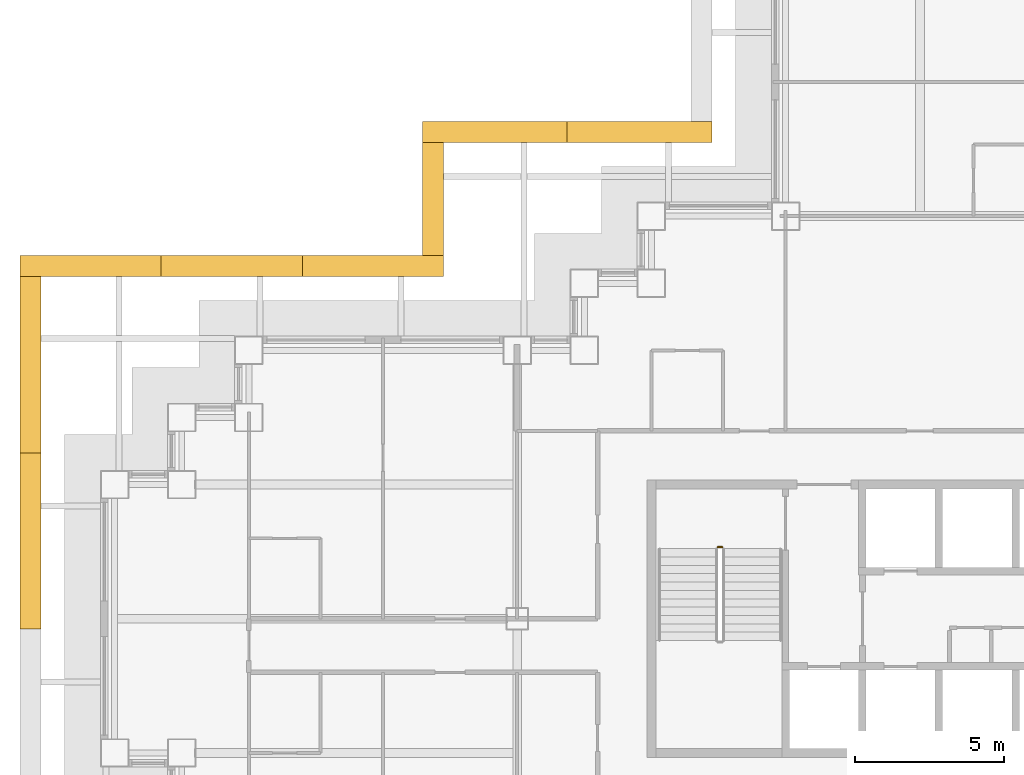
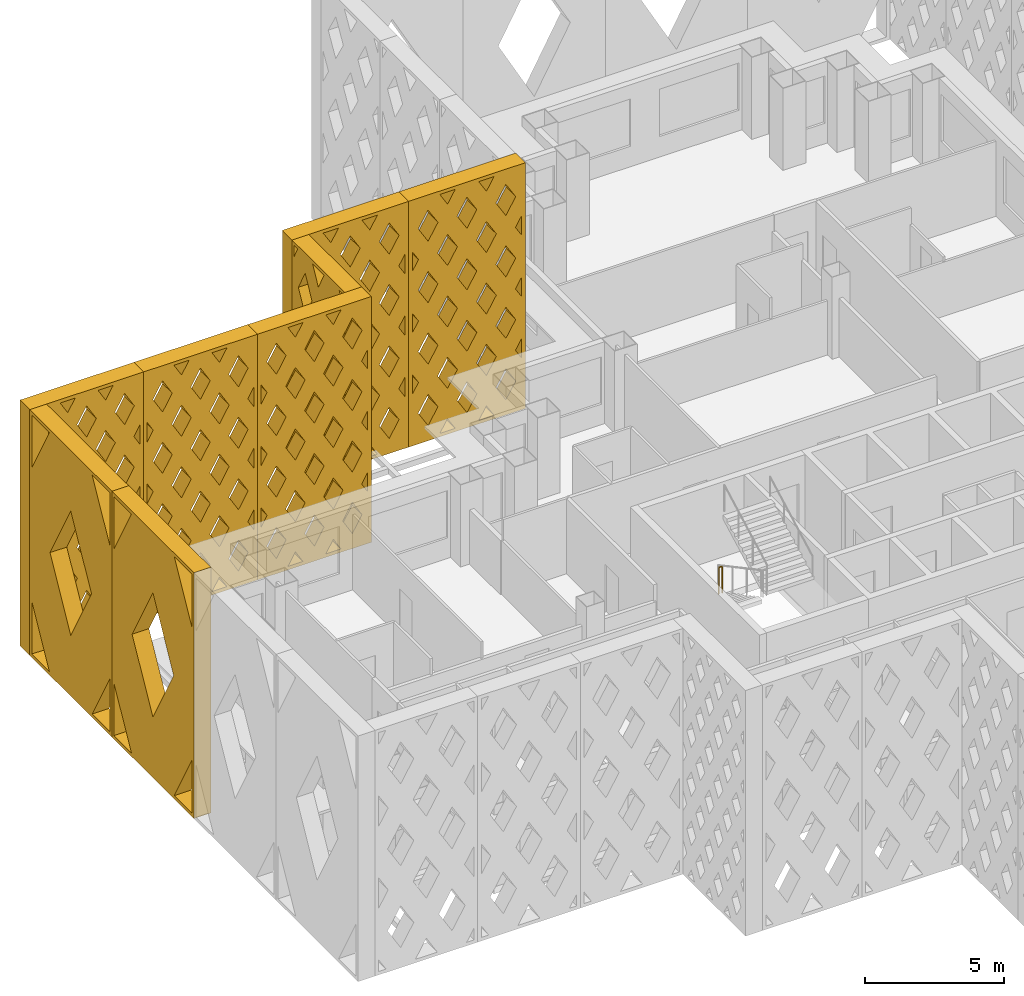
# One storey, part 17 of 19: 8 shading devices, 1 railing.
"""IFC4 building model written with IfcOpenShell, lengths in metres."""

import ifcopenshell
import ifcopenshell.guid

model = None  # the IFC model being written
_history = None  # IfcOwnerHistory: only IFC2X3 demands one
_inside = {}  # id of a spatial element -> (the spatial element, [elements in it])
_under = {}  # id of a project, library or spatial element -> (it, [spatial elements below it])
_declared = {}  # id of a project -> (the project, [libraries it declares])
_typed = {}  # id of a type object -> (the type object, [elements of that type])
_made_of = {}  # id of a material, layer set ... -> (it, [elements and type objects made of it])


def new_model(schema):
    """Start an empty IFC model of exactly this schema.

    Asked for "IFC4X3", IfcOpenShell would pick the latest addendum, in which some entities
    have other attributes; the version numbers below select the first issue.
    IFC2X3 requires an IfcOwnerHistory on every rooted entity: one is made here for all.
    """
    global model, _history
    if schema == "IFC4X3":
        model = ifcopenshell.file(schema_version=(4, 3, 0, 0))
    else:
        model = ifcopenshell.file(schema=schema)
    _inside.clear()
    _under.clear()
    _declared.clear()
    _typed.clear()
    _made_of.clear()
    _history = None
    if model.schema == "IFC2X3":
        org = make("IfcOrganization", Name="unknown")
        user = make(
            "IfcPersonAndOrganization",
            ThePerson=make("IfcPerson", FamilyName="unknown"),
            TheOrganization=org,
        )
        app = make(
            "IfcApplication",
            ApplicationDeveloper=org,
            Version="unknown",
            ApplicationFullName="unknown",
            ApplicationIdentifier="unknown",
        )
        _history = make(
            "IfcOwnerHistory",
            OwningUser=user,
            OwningApplication=app,
            ChangeAction="ADDED",
            CreationDate=0,
        )
    return model


def make(cls, **values):
    """One entity of the class cls with the attributes given. An attribute that is None is left unset."""
    return model.create_entity(
        cls, **{name: value for name, value in values.items() if value is not None}
    )


def rooted(cls, **values):
    """An entity with a GlobalId (a new one), such as an element, a storey or a relation."""
    return make(cls, GlobalId=ifcopenshell.guid.new(), OwnerHistory=_history, **values)


def si_unit(unit_type, name, prefix=None):
    """IfcSIUnit, for example si_unit("LENGTHUNIT", "METRE", prefix="MILLI")."""
    return make("IfcSIUnit", UnitType=unit_type, Prefix=prefix, Name=name)


def assignment(units):
    """IfcUnitAssignment: the units of a project."""
    return None if units is None else make("IfcUnitAssignment", Units=units)


def point(xyz):
    """IfcCartesianPoint."""
    return None if xyz is None else make("IfcCartesianPoint", Coordinates=xyz)


def direction(xyz):
    """IfcDirection."""
    return None if xyz is None else make("IfcDirection", DirectionRatios=xyz)


def frame(location, z_axis=None, x_axis=None):
    """IfcAxis2Placement3D, a coordinate frame: its origin and axes. An axis left out is left unset."""
    return make(
        "IfcAxis2Placement3D",
        Location=point(location),
        Axis=direction(z_axis),
        RefDirection=direction(x_axis),
    )


def frame_2d(location, x_axis=None):
    """IfcAxis2Placement2D, a coordinate frame in the plane: its origin and x axis."""
    return make(
        "IfcAxis2Placement2D", Location=point(location), RefDirection=direction(x_axis)
    )


def origin():
    """The frame at (0, 0, 0) with its axes left unset."""
    return frame((0.0, 0.0, 0.0))


def origin_2d():
    """The frame at (0, 0) in the plane with its x axis left unset."""
    return frame_2d((0.0, 0.0))


def place(relative_to, where):
    """IfcLocalPlacement: puts the frame where relative to a parent placement (None: the world)."""
    return make(
        "IfcLocalPlacement", PlacementRelTo=relative_to, RelativePlacement=where
    )


def context(
    kind, dimensions, precision=None, world=None, true_north=None, identifier=None
):
    """IfcGeometricRepresentationContext, for example the 3D "Model" context."""
    return make(
        "IfcGeometricRepresentationContext",
        ContextIdentifier=identifier,
        ContextType=kind,
        CoordinateSpaceDimension=dimensions,
        Precision=precision,
        WorldCoordinateSystem=world,
        TrueNorth=true_north,
    )


def subcontext(parent, identifier, kind, view, scale=None):
    """IfcGeometricRepresentationSubContext, for example "Body" below "Model"."""
    return make(
        "IfcGeometricRepresentationSubContext",
        ContextIdentifier=identifier,
        ContextType=kind,
        ParentContext=parent,
        TargetScale=scale,
        TargetView=view,
    )


def project(units=None, contexts=None):
    """IfcProject with its units and contexts."""
    return rooted(
        "IfcProject",
        Name="project",
        RepresentationContexts=contexts,
        UnitsInContext=assignment(units),
    )


def spatial(cls, under=None, at=None, **own):
    """A site, building, storey or space (cls), placed at a placement, below another one or the project."""
    s = rooted(cls, ObjectPlacement=at, **own)
    if under is not None:
        _under.setdefault(under.id(), (under, []))[1].append(s)
    return s


def polyline(points):
    """IfcPolyline through the points."""
    return make("IfcPolyline", Points=[point(p) for p in points])


def profile(cls, at=None, kind="AREA", **sizes):
    """A parametric profile (cls). Its sizes go by their IFC names, for example OverallWidth=200.0."""
    return make(cls, ProfileType=kind, Position=at, **sizes)


def circle(**sizes):
    """IfcCircleProfileDef."""
    return profile("IfcCircleProfileDef", **sizes)


def outline(outer, holes=None, kind="AREA"):
    """IfcArbitraryClosedProfileDef: a profile drawn as a closed curve; with holes, ...WithVoids."""
    if holes is None:
        return make("IfcArbitraryClosedProfileDef", ProfileType=kind, OuterCurve=outer)
    return make(
        "IfcArbitraryProfileDefWithVoids",
        ProfileType=kind,
        OuterCurve=outer,
        InnerCurves=holes,
    )


def extrude(swept, where, along, depth):
    """IfcExtrudedAreaSolid: the profile swept, set in the frame where, extruded along a direction by depth."""
    return make(
        "IfcExtrudedAreaSolid",
        SweptArea=swept,
        Position=where,
        ExtrudedDirection=direction(along),
        Depth=depth,
    )


def shape(context_of_items, identifier, shape_type, items):
    """IfcShapeRepresentation: the items that make up one representation, for example the "Body"."""
    return make(
        "IfcShapeRepresentation",
        ContextOfItems=context_of_items,
        RepresentationIdentifier=identifier,
        RepresentationType=shape_type,
        Items=items,
    )


def material(Name=None, Category=None):
    """IfcMaterial."""
    return make("IfcMaterial", Name=Name, Category=Category)


def made_of(thing, what):
    """Note that an element or type object is made of a material, layer set ...; save() writes the relation."""
    if what is not None:
        _made_of.setdefault(what.id(), (what, []))[1].append(thing)
    return thing


def type_object(cls, material=None, **own):
    """A type object (cls), such as IfcWallType, which elements share."""
    return made_of(rooted(cls, **own), material)


def element(
    cls,
    number,
    at=None,
    inside=None,
    cuts=None,
    type_object=None,
    material=None,
    context=None,
    identifier="Body",
    shape_type=None,
    held_by="IfcProductDefinitionShape",
    body=None,
    shapes=None,
    **own,
):
    """One element of the class cls, such as IfcWall. Its Tag is "e" and its number.

    at: its placement. inside: the storey or other place that contains it. cuts: it is an
    opening in that element (IfcRelVoidsElement). A single representation is given by context,
    identifier, shape_type and body (its items); several are given by shapes. held_by: the class
    of the entity that holds the representations. save() writes the other relations.
    """
    e = rooted(cls, Tag="e%d" % number, ObjectPlacement=at, **own)
    if body is not None:
        shapes = [shape(context, identifier, shape_type, body)]
    if shapes is not None:
        e.Representation = make(held_by, Representations=shapes)
    if inside is not None:
        _inside.setdefault(inside.id(), (inside, []))[1].append(e)
    if cuts is not None:
        rooted(
            "IfcRelVoidsElement", RelatingBuildingElement=cuts, RelatedOpeningElement=e
        )
    if type_object is not None:
        _typed.setdefault(type_object.id(), (type_object, []))[1].append(e)
    return made_of(e, material)


def aggregate(whole, parts):
    """IfcRelAggregates: a whole, such as a stair, and the parts it consists of."""
    return rooted("IfcRelAggregates", RelatingObject=whole, RelatedObjects=parts)


def save(model, path):
    """Write the relations noted so far, then the file.

    IfcRelAggregates (storeys below a building ...), IfcRelContainedInSpatialStructure (elements
    in a storey), IfcRelDefinesByType, IfcRelAssociatesMaterial and IfcRelDeclares: one each for
    every whole, place, type object, material and project.
    """
    for whole, parts in _under.values():
        aggregate(whole, parts)
    for where, things in _inside.values():
        rooted(
            "IfcRelContainedInSpatialStructure",
            RelatedElements=things,
            RelatingStructure=where,
        )
    for kind, things in _typed.values():
        rooted("IfcRelDefinesByType", RelatedObjects=things, RelatingType=kind)
    for what, things in _made_of.values():
        rooted("IfcRelAssociatesMaterial", RelatedObjects=things, RelatingMaterial=what)
    for by, libraries in _declared.values():
        rooted("IfcRelDeclares", RelatingContext=by, RelatedDefinitions=libraries)
    model.write(path)


model = new_model("IFC4")

# Units and contexts
model_context = context("Model", 3, precision=1e-05, world=origin(), true_north=direction((0.0, 1.0)))
body_context = subcontext(model_context, "Body", "Model", "MODEL_VIEW")
ifc_project = project(units=[si_unit("LENGTHUNIT", "METRE"), si_unit("AREAUNIT", "SQUARE_METRE"), si_unit("VOLUMEUNIT", "CUBIC_METRE"), si_unit("PLANEANGLEUNIT", "RADIAN"), si_unit("MASSUNIT", "GRAM", prefix="KILO")], contexts=[model_context])

# Site, building, storey
site_placement = place(None, origin())
site = spatial("IfcSite", under=ifc_project, at=site_placement, CompositionType="ELEMENT")
building_placement = place(site_placement, origin())
building = spatial("IfcBuilding", under=site, at=building_placement, Name="Caravel Reach Hotel and Residences", CompositionType="ELEMENT")
storey_placement = place(building_placement, frame((0.0, 0.0, 85.199951171875)))
storey = spatial("IfcBuildingStorey", under=building, at=storey_placement, Name="L20", CompositionType="ELEMENT", Elevation=85.199951171875)

# Shading devices
ifc_material_1 = material(Name="Black powder-coated aluminium", Category="aluminium")
shading_device_type_1 = type_object("IfcShadingDeviceType", Name="Diamond lattice screen panel 3800 x 10800", PredefinedType="USERDEFINED", material=ifc_material_1)
shading_device_1_placement = place(storey_placement, frame((11.02490234375, 42.97509765625, 0.0), z_axis=(-1.0, 0.0, 0.0), x_axis=(0.0, -1.0, 0.0)))
element("IfcShadingDevice", 1, at=shading_device_1_placement, inside=storey, type_object=shading_device_type_1, Name="Lattice screen L20-L22 15.1", ObjectType="SCREEN", PredefinedType="USERDEFINED", context=body_context, shape_type="SweptSolid", body=[
    extrude(outline(polyline([(0.0, 0.0), (3.800048828125, 0.0), (3.800048828125, 10.800048828125), (0.0, 10.800048828125), (0.0, 0.0)]), holes=[polyline([(0.41015625, 0.14990234375), (0.14990234375, 0.64306640625), (0.14990234375, 0.14990234375), (0.41015625, 0.14990234375)]), polyline([(0.489501953125, 3.60009765625), (0.14990234375, 4.2431640625), (0.14990234375, 2.956787109375), (0.489501953125, 3.60009765625)]), polyline([(0.489501953125, 7.199951171875), (0.14990234375, 7.843017578125), (0.14990234375, 6.556884765625), (0.489501953125, 7.199951171875)]), polyline([(0.14990234375, 10.156982421875), (0.41015625, 10.64990234375), (0.14990234375, 10.64990234375), (0.14990234375, 10.156982421875)]), polyline([(0.949951171875, 2.727294921875), (0.460693359375, 1.800048828125), (0.949951171875, 0.872802734375), (1.439453125, 1.800048828125), (0.949951171875, 2.727294921875)]), polyline([(0.949951171875, 6.327392578125), (0.460693359375, 5.39990234375), (0.949951171875, 4.47265625), (1.439453125, 5.39990234375), (0.949951171875, 6.327392578125)]), polyline([(0.949951171875, 9.92724609375), (0.460693359375, 9.0), (0.949951171875, 8.07275390625), (1.439453125, 9.0), (0.949951171875, 9.92724609375)]), polyline([(1.89990234375, 0.92724609375), (1.48974609375, 0.14990234375), (2.310302734375, 0.14990234375), (1.89990234375, 0.92724609375)]), polyline([(1.89990234375, 4.52734375), (1.41064453125, 3.60009765625), (1.89990234375, 2.672607421875), (2.389404296875, 3.60009765625), (1.89990234375, 4.52734375)]), polyline([(1.89990234375, 8.127197265625), (1.41064453125, 7.199951171875), (1.89990234375, 6.272705078125), (2.389404296875, 7.199951171875), (1.89990234375, 8.127197265625)]), polyline([(1.89990234375, 9.872802734375), (2.310302734375, 10.64990234375), (1.48974609375, 10.64990234375), (1.89990234375, 9.872802734375)]), polyline([(2.85009765625, 2.727294921875), (2.360595703125, 1.800048828125), (2.85009765625, 0.872802734375), (3.33935546875, 1.800048828125), (2.85009765625, 2.727294921875)]), polyline([(2.85009765625, 6.327392578125), (2.360595703125, 5.39990234375), (2.85009765625, 4.47265625), (3.33935546875, 5.39990234375), (2.85009765625, 6.327392578125)]), polyline([(2.85009765625, 9.92724609375), (2.360595703125, 9.0), (2.85009765625, 8.07275390625), (3.33935546875, 9.0), (2.85009765625, 9.92724609375)]), polyline([(3.64990234375, 0.64306640625), (3.3896484375, 0.14990234375), (3.64990234375, 0.14990234375), (3.64990234375, 0.64306640625)]), polyline([(3.310546875, 3.60009765625), (3.64990234375, 2.956787109375), (3.64990234375, 4.2431640625), (3.310546875, 3.60009765625)]), polyline([(3.310546875, 7.199951171875), (3.64990234375, 6.556884765625), (3.64990234375, 7.843017578125), (3.310546875, 7.199951171875)]), polyline([(3.3896484375, 10.64990234375), (3.64990234375, 10.156982421875), (3.64990234375, 10.64990234375), (3.3896484375, 10.64990234375)])]), origin(), (0.0, 0.0, 1.0), 0.699951171875),
])
ifc_material_2 = material(Name="Black powder-coated aluminium", Category="aluminium")
shading_device_type_2 = type_object("IfcShadingDeviceType", Name="Diamond lattice screen panel 4733 x 10800", PredefinedType="USERDEFINED", material=ifc_material_2)
shading_device_2_placement = place(storey_placement, frame((11.02490234375, 38.47509765625, 0.0), z_axis=(0.0, 1.0, 0.0), x_axis=(-1.0, 0.0, 0.0)))
element("IfcShadingDevice", 2, at=shading_device_2_placement, inside=storey, type_object=shading_device_type_2, Name="Lattice screen L20-L22 16.1", ObjectType="SCREEN", PredefinedType="USERDEFINED", context=body_context, shape_type="SweptSolid", body=[
    extrude(outline(polyline([(0.0, 0.0), (4.7333984375, 0.0), (4.7333984375, 10.800048828125), (0.0, 10.800048828125), (0.0, 0.0)]), holes=[polyline([(0.4013671875, 2.699951171875), (0.14990234375, 3.130126953125), (0.14990234375, 2.269775390625), (0.4013671875, 2.699951171875)]), polyline([(0.4013671875, 5.39990234375), (0.14990234375, 5.830078125), (0.14990234375, 4.969970703125), (0.4013671875, 5.39990234375)]), polyline([(0.4013671875, 8.10009765625), (0.14990234375, 8.530029296875), (0.14990234375, 7.669921875), (0.4013671875, 8.10009765625)]), polyline([(0.788818359375, 2.036865234375), (0.387451171875, 1.35009765625), (0.788818359375, 0.6630859375), (1.190185546875, 1.35009765625), (0.788818359375, 2.036865234375)]), polyline([(0.788818359375, 4.73681640625), (0.387451171875, 4.050048828125), (0.788818359375, 3.36328125), (1.190185546875, 4.050048828125), (0.788818359375, 4.73681640625)]), polyline([(0.788818359375, 7.436767578125), (0.387451171875, 6.75), (0.788818359375, 6.063232421875), (1.190185546875, 6.75), (0.788818359375, 7.436767578125)]), polyline([(0.788818359375, 10.13671875), (0.387451171875, 9.449951171875), (0.788818359375, 8.76318359375), (1.190185546875, 9.449951171875), (0.788818359375, 10.13671875)]), polyline([(1.577880859375, 0.686767578125), (1.26416015625, 0.14990234375), (1.8916015625, 0.14990234375), (1.577880859375, 0.686767578125)]), polyline([(1.577880859375, 3.38671875), (1.176513671875, 2.699951171875), (1.577880859375, 2.01318359375), (1.979248046875, 2.699951171875), (1.577880859375, 3.38671875)]), polyline([(1.577880859375, 6.0869140625), (1.176513671875, 5.39990234375), (1.577880859375, 4.713134765625), (1.979248046875, 5.39990234375), (1.577880859375, 6.0869140625)]), polyline([(1.577880859375, 8.786865234375), (1.176513671875, 8.10009765625), (1.577880859375, 7.4130859375), (1.979248046875, 8.10009765625), (1.577880859375, 8.786865234375)]), polyline([(1.577880859375, 10.11328125), (1.8916015625, 10.64990234375), (1.26416015625, 10.64990234375), (1.577880859375, 10.11328125)]), polyline([(2.36669921875, 2.036865234375), (1.96533203125, 1.35009765625), (2.36669921875, 0.6630859375), (2.76806640625, 1.35009765625), (2.36669921875, 2.036865234375)]), polyline([(2.36669921875, 4.73681640625), (1.96533203125, 4.050048828125), (2.36669921875, 3.36328125), (2.76806640625, 4.050048828125), (2.36669921875, 4.73681640625)]), polyline([(2.36669921875, 7.436767578125), (1.96533203125, 6.75), (2.36669921875, 6.063232421875), (2.76806640625, 6.75), (2.36669921875, 7.436767578125)]), polyline([(2.36669921875, 10.13671875), (1.96533203125, 9.449951171875), (2.36669921875, 8.76318359375), (2.76806640625, 9.449951171875), (2.36669921875, 10.13671875)]), polyline([(3.155517578125, 0.686767578125), (2.841796875, 0.14990234375), (3.46923828125, 0.14990234375), (3.155517578125, 0.686767578125)]), polyline([(3.155517578125, 3.38671875), (2.754150390625, 2.699951171875), (3.155517578125, 2.01318359375), (3.556884765625, 2.699951171875), (3.155517578125, 3.38671875)]), polyline([(3.155517578125, 6.0869140625), (2.754150390625, 5.39990234375), (3.155517578125, 4.713134765625), (3.556884765625, 5.39990234375), (3.155517578125, 6.0869140625)]), polyline([(3.155517578125, 8.786865234375), (2.754150390625, 8.10009765625), (3.155517578125, 7.4130859375), (3.556884765625, 8.10009765625), (3.155517578125, 8.786865234375)]), polyline([(3.155517578125, 10.11328125), (3.46923828125, 10.64990234375), (2.841796875, 10.64990234375), (3.155517578125, 10.11328125)]), polyline([(3.9443359375, 2.036865234375), (3.54296875, 1.35009765625), (3.9443359375, 0.6630859375), (4.345703125, 1.35009765625), (3.9443359375, 2.036865234375)]), polyline([(3.9443359375, 4.73681640625), (3.54296875, 4.050048828125), (3.9443359375, 3.36328125), (4.345703125, 4.050048828125), (3.9443359375, 4.73681640625)]), polyline([(3.9443359375, 7.436767578125), (3.54296875, 6.75), (3.9443359375, 6.063232421875), (4.345703125, 6.75), (3.9443359375, 7.436767578125)]), polyline([(3.9443359375, 10.13671875), (3.54296875, 9.449951171875), (3.9443359375, 8.76318359375), (4.345703125, 9.449951171875), (3.9443359375, 10.13671875)]), polyline([(4.33203125, 2.699951171875), (4.583251953125, 2.269775390625), (4.583251953125, 3.130126953125), (4.33203125, 2.699951171875)]), polyline([(4.33203125, 5.39990234375), (4.583251953125, 4.969970703125), (4.583251953125, 5.830078125), (4.33203125, 5.39990234375)]), polyline([(4.33203125, 8.10009765625), (4.583251953125, 7.669921875), (4.583251953125, 8.530029296875), (4.33203125, 8.10009765625)])]), origin(), (0.0, 0.0, 1.0), 0.699951171875),
])
shading_device_3_placement = place(storey_placement, frame((6.291748046875, 38.47509765625, 0.0), z_axis=(0.0, 1.0, 0.0), x_axis=(-1.0, 0.0, 0.0)))
element("IfcShadingDevice", 3, at=shading_device_3_placement, inside=storey, type_object=shading_device_type_2, Name="Lattice screen L20-L22 16.2", ObjectType="SCREEN", PredefinedType="USERDEFINED", context=body_context, shape_type="SweptSolid", body=[
    extrude(outline(polyline([(0.0, 0.0), (4.7333984375, 0.0), (4.7333984375, 10.800048828125), (0.0, 10.800048828125), (0.0, 0.0)]), holes=[polyline([(0.4013671875, 2.699951171875), (0.14990234375, 3.130126953125), (0.14990234375, 2.269775390625), (0.4013671875, 2.699951171875)]), polyline([(0.4013671875, 5.39990234375), (0.14990234375, 5.830078125), (0.14990234375, 4.969970703125), (0.4013671875, 5.39990234375)]), polyline([(0.4013671875, 8.10009765625), (0.14990234375, 8.530029296875), (0.14990234375, 7.669921875), (0.4013671875, 8.10009765625)]), polyline([(0.788818359375, 2.036865234375), (0.387451171875, 1.35009765625), (0.788818359375, 0.6630859375), (1.190185546875, 1.35009765625), (0.788818359375, 2.036865234375)]), polyline([(0.788818359375, 4.73681640625), (0.387451171875, 4.050048828125), (0.788818359375, 3.36328125), (1.190185546875, 4.050048828125), (0.788818359375, 4.73681640625)]), polyline([(0.788818359375, 7.436767578125), (0.387451171875, 6.75), (0.788818359375, 6.063232421875), (1.190185546875, 6.75), (0.788818359375, 7.436767578125)]), polyline([(0.788818359375, 10.13671875), (0.387451171875, 9.449951171875), (0.788818359375, 8.76318359375), (1.190185546875, 9.449951171875), (0.788818359375, 10.13671875)]), polyline([(1.577880859375, 0.686767578125), (1.26416015625, 0.14990234375), (1.8916015625, 0.14990234375), (1.577880859375, 0.686767578125)]), polyline([(1.577880859375, 3.38671875), (1.176513671875, 2.699951171875), (1.577880859375, 2.01318359375), (1.979248046875, 2.699951171875), (1.577880859375, 3.38671875)]), polyline([(1.577880859375, 6.0869140625), (1.176513671875, 5.39990234375), (1.577880859375, 4.713134765625), (1.979248046875, 5.39990234375), (1.577880859375, 6.0869140625)]), polyline([(1.577880859375, 8.786865234375), (1.176513671875, 8.10009765625), (1.577880859375, 7.4130859375), (1.979248046875, 8.10009765625), (1.577880859375, 8.786865234375)]), polyline([(1.577880859375, 10.11328125), (1.8916015625, 10.64990234375), (1.26416015625, 10.64990234375), (1.577880859375, 10.11328125)]), polyline([(2.36669921875, 2.036865234375), (1.96533203125, 1.35009765625), (2.36669921875, 0.6630859375), (2.76806640625, 1.35009765625), (2.36669921875, 2.036865234375)]), polyline([(2.36669921875, 4.73681640625), (1.96533203125, 4.050048828125), (2.36669921875, 3.36328125), (2.76806640625, 4.050048828125), (2.36669921875, 4.73681640625)]), polyline([(2.36669921875, 7.436767578125), (1.96533203125, 6.75), (2.36669921875, 6.063232421875), (2.76806640625, 6.75), (2.36669921875, 7.436767578125)]), polyline([(2.36669921875, 10.13671875), (1.96533203125, 9.449951171875), (2.36669921875, 8.76318359375), (2.76806640625, 9.449951171875), (2.36669921875, 10.13671875)]), polyline([(3.155517578125, 0.686767578125), (2.841796875, 0.14990234375), (3.46923828125, 0.14990234375), (3.155517578125, 0.686767578125)]), polyline([(3.155517578125, 3.38671875), (2.754150390625, 2.699951171875), (3.155517578125, 2.01318359375), (3.556884765625, 2.699951171875), (3.155517578125, 3.38671875)]), polyline([(3.155517578125, 6.0869140625), (2.754150390625, 5.39990234375), (3.155517578125, 4.713134765625), (3.556884765625, 5.39990234375), (3.155517578125, 6.0869140625)]), polyline([(3.155517578125, 8.786865234375), (2.754150390625, 8.10009765625), (3.155517578125, 7.4130859375), (3.556884765625, 8.10009765625), (3.155517578125, 8.786865234375)]), polyline([(3.155517578125, 10.11328125), (3.46923828125, 10.64990234375), (2.841796875, 10.64990234375), (3.155517578125, 10.11328125)]), polyline([(3.9443359375, 2.036865234375), (3.54296875, 1.35009765625), (3.9443359375, 0.6630859375), (4.345703125, 1.35009765625), (3.9443359375, 2.036865234375)]), polyline([(3.9443359375, 4.73681640625), (3.54296875, 4.050048828125), (3.9443359375, 3.36328125), (4.345703125, 4.050048828125), (3.9443359375, 4.73681640625)]), polyline([(3.9443359375, 7.436767578125), (3.54296875, 6.75), (3.9443359375, 6.063232421875), (4.345703125, 6.75), (3.9443359375, 7.436767578125)]), polyline([(3.9443359375, 10.13671875), (3.54296875, 9.449951171875), (3.9443359375, 8.76318359375), (4.345703125, 9.449951171875), (3.9443359375, 10.13671875)]), polyline([(4.33203125, 2.699951171875), (4.583251953125, 2.269775390625), (4.583251953125, 3.130126953125), (4.33203125, 2.699951171875)]), polyline([(4.33203125, 5.39990234375), (4.583251953125, 4.969970703125), (4.583251953125, 5.830078125), (4.33203125, 5.39990234375)]), polyline([(4.33203125, 8.10009765625), (4.583251953125, 7.669921875), (4.583251953125, 8.530029296875), (4.33203125, 8.10009765625)])]), origin(), (0.0, 0.0, 1.0), 0.699951171875),
])
shading_device_4_placement = place(storey_placement, frame((1.558349609375, 38.47509765625, 0.0), z_axis=(0.0, 1.0, 0.0), x_axis=(-1.0, 0.0, 0.0)))
element("IfcShadingDevice", 4, at=shading_device_4_placement, inside=storey, type_object=shading_device_type_2, Name="Lattice screen L20-L22 16.3", ObjectType="SCREEN", PredefinedType="USERDEFINED", context=body_context, shape_type="SweptSolid", body=[
    extrude(outline(polyline([(0.0, 0.0), (4.7333984375, 0.0), (4.7333984375, 10.800048828125), (0.0, 10.800048828125), (0.0, 0.0)]), holes=[polyline([(0.4013671875, 2.699951171875), (0.14990234375, 3.130126953125), (0.14990234375, 2.269775390625), (0.4013671875, 2.699951171875)]), polyline([(0.4013671875, 5.39990234375), (0.14990234375, 5.830078125), (0.14990234375, 4.969970703125), (0.4013671875, 5.39990234375)]), polyline([(0.4013671875, 8.10009765625), (0.14990234375, 8.530029296875), (0.14990234375, 7.669921875), (0.4013671875, 8.10009765625)]), polyline([(0.788818359375, 2.036865234375), (0.387451171875, 1.35009765625), (0.788818359375, 0.6630859375), (1.190185546875, 1.35009765625), (0.788818359375, 2.036865234375)]), polyline([(0.788818359375, 4.73681640625), (0.387451171875, 4.050048828125), (0.788818359375, 3.36328125), (1.190185546875, 4.050048828125), (0.788818359375, 4.73681640625)]), polyline([(0.788818359375, 7.436767578125), (0.387451171875, 6.75), (0.788818359375, 6.063232421875), (1.190185546875, 6.75), (0.788818359375, 7.436767578125)]), polyline([(0.788818359375, 10.13671875), (0.387451171875, 9.449951171875), (0.788818359375, 8.76318359375), (1.190185546875, 9.449951171875), (0.788818359375, 10.13671875)]), polyline([(1.577880859375, 0.686767578125), (1.26416015625, 0.14990234375), (1.8916015625, 0.14990234375), (1.577880859375, 0.686767578125)]), polyline([(1.577880859375, 3.38671875), (1.176513671875, 2.699951171875), (1.577880859375, 2.01318359375), (1.979248046875, 2.699951171875), (1.577880859375, 3.38671875)]), polyline([(1.577880859375, 6.0869140625), (1.176513671875, 5.39990234375), (1.577880859375, 4.713134765625), (1.979248046875, 5.39990234375), (1.577880859375, 6.0869140625)]), polyline([(1.577880859375, 8.786865234375), (1.176513671875, 8.10009765625), (1.577880859375, 7.4130859375), (1.979248046875, 8.10009765625), (1.577880859375, 8.786865234375)]), polyline([(1.577880859375, 10.11328125), (1.8916015625, 10.64990234375), (1.26416015625, 10.64990234375), (1.577880859375, 10.11328125)]), polyline([(2.36669921875, 2.036865234375), (1.96533203125, 1.35009765625), (2.36669921875, 0.6630859375), (2.76806640625, 1.35009765625), (2.36669921875, 2.036865234375)]), polyline([(2.36669921875, 4.73681640625), (1.96533203125, 4.050048828125), (2.36669921875, 3.36328125), (2.76806640625, 4.050048828125), (2.36669921875, 4.73681640625)]), polyline([(2.36669921875, 7.436767578125), (1.96533203125, 6.75), (2.36669921875, 6.063232421875), (2.76806640625, 6.75), (2.36669921875, 7.436767578125)]), polyline([(2.36669921875, 10.13671875), (1.96533203125, 9.449951171875), (2.36669921875, 8.76318359375), (2.76806640625, 9.449951171875), (2.36669921875, 10.13671875)]), polyline([(3.155517578125, 0.686767578125), (2.841796875, 0.14990234375), (3.46923828125, 0.14990234375), (3.155517578125, 0.686767578125)]), polyline([(3.155517578125, 3.38671875), (2.754150390625, 2.699951171875), (3.155517578125, 2.01318359375), (3.556884765625, 2.699951171875), (3.155517578125, 3.38671875)]), polyline([(3.155517578125, 6.0869140625), (2.754150390625, 5.39990234375), (3.155517578125, 4.713134765625), (3.556884765625, 5.39990234375), (3.155517578125, 6.0869140625)]), polyline([(3.155517578125, 8.786865234375), (2.754150390625, 8.10009765625), (3.155517578125, 7.4130859375), (3.556884765625, 8.10009765625), (3.155517578125, 8.786865234375)]), polyline([(3.155517578125, 10.11328125), (3.46923828125, 10.64990234375), (2.841796875, 10.64990234375), (3.155517578125, 10.11328125)]), polyline([(3.9443359375, 2.036865234375), (3.54296875, 1.35009765625), (3.9443359375, 0.6630859375), (4.345703125, 1.35009765625), (3.9443359375, 2.036865234375)]), polyline([(3.9443359375, 4.73681640625), (3.54296875, 4.050048828125), (3.9443359375, 3.36328125), (4.345703125, 4.050048828125), (3.9443359375, 4.73681640625)]), polyline([(3.9443359375, 7.436767578125), (3.54296875, 6.75), (3.9443359375, 6.063232421875), (4.345703125, 6.75), (3.9443359375, 7.436767578125)]), polyline([(3.9443359375, 10.13671875), (3.54296875, 9.449951171875), (3.9443359375, 8.76318359375), (4.345703125, 9.449951171875), (3.9443359375, 10.13671875)]), polyline([(4.33203125, 2.699951171875), (4.583251953125, 2.269775390625), (4.583251953125, 3.130126953125), (4.33203125, 2.699951171875)]), polyline([(4.33203125, 5.39990234375), (4.583251953125, 4.969970703125), (4.583251953125, 5.830078125), (4.33203125, 5.39990234375)]), polyline([(4.33203125, 8.10009765625), (4.583251953125, 7.669921875), (4.583251953125, 8.530029296875), (4.33203125, 8.10009765625)])]), origin(), (0.0, 0.0, 1.0), 0.699951171875),
])
ifc_material_3 = material(Name="Black powder-coated aluminium", Category="aluminium")
shading_device_type_3 = type_object("IfcShadingDeviceType", Name="Diamond lattice screen panel 4850 x 10800", PredefinedType="USERDEFINED", material=ifc_material_3)
shading_device_5_placement = place(storey_placement, frame((20.02490234375, 42.97509765625, 0.0), z_axis=(0.0, 1.0, 0.0), x_axis=(-1.0, 0.0, 0.0)))
element("IfcShadingDevice", 5, at=shading_device_5_placement, inside=storey, type_object=shading_device_type_3, Name="Lattice screen L20-L22 14.1", ObjectType="SCREEN", PredefinedType="USERDEFINED", context=body_context, shape_type="SweptSolid", body=[
    extrude(outline(polyline([(0.0, 0.0), (4.85009765625, 0.0), (4.85009765625, 10.800048828125), (0.0, 10.800048828125), (0.0, 0.0)]), holes=[polyline([(0.410888671875, 2.699951171875), (0.14990234375, 3.1357421875), (0.14990234375, 2.26416015625), (0.410888671875, 2.699951171875)]), polyline([(0.410888671875, 5.39990234375), (0.14990234375, 5.835693359375), (0.14990234375, 4.964111328125), (0.410888671875, 5.39990234375)]), polyline([(0.410888671875, 8.10009765625), (0.14990234375, 8.535888671875), (0.14990234375, 7.664306640625), (0.410888671875, 8.10009765625)]), polyline([(0.808349609375, 2.036376953125), (0.3974609375, 1.35009765625), (0.808349609375, 0.663818359375), (1.21923828125, 1.35009765625), (0.808349609375, 2.036376953125)]), polyline([(0.808349609375, 4.736328125), (0.3974609375, 4.050048828125), (0.808349609375, 3.36376953125), (1.21923828125, 4.050048828125), (0.808349609375, 4.736328125)]), polyline([(0.808349609375, 7.436279296875), (0.3974609375, 6.75), (0.808349609375, 6.063720703125), (1.21923828125, 6.75), (0.808349609375, 7.436279296875)]), polyline([(0.808349609375, 10.13623046875), (0.3974609375, 9.449951171875), (0.808349609375, 8.763671875), (1.21923828125, 9.449951171875), (0.808349609375, 10.13623046875)]), polyline([(1.61669921875, 0.686279296875), (1.295654296875, 0.14990234375), (1.937744140625, 0.14990234375), (1.61669921875, 0.686279296875)]), polyline([(1.61669921875, 3.38623046875), (1.205810546875, 2.699951171875), (1.61669921875, 2.013671875), (2.027587890625, 2.699951171875), (1.61669921875, 3.38623046875)]), polyline([(1.61669921875, 6.086181640625), (1.205810546875, 5.39990234375), (1.61669921875, 4.713623046875), (2.027587890625, 5.39990234375), (1.61669921875, 6.086181640625)]), polyline([(1.61669921875, 8.786376953125), (1.205810546875, 8.10009765625), (1.61669921875, 7.413818359375), (2.027587890625, 8.10009765625), (1.61669921875, 8.786376953125)]), polyline([(1.61669921875, 10.11376953125), (1.937744140625, 10.64990234375), (1.295654296875, 10.64990234375), (1.61669921875, 10.11376953125)]), polyline([(2.425048828125, 2.036376953125), (2.01416015625, 1.35009765625), (2.425048828125, 0.663818359375), (2.8359375, 1.35009765625), (2.425048828125, 2.036376953125)]), polyline([(2.425048828125, 4.736328125), (2.01416015625, 4.050048828125), (2.425048828125, 3.36376953125), (2.8359375, 4.050048828125), (2.425048828125, 4.736328125)]), polyline([(2.425048828125, 7.436279296875), (2.01416015625, 6.75), (2.425048828125, 6.063720703125), (2.8359375, 6.75), (2.425048828125, 7.436279296875)]), polyline([(2.425048828125, 10.13623046875), (2.01416015625, 9.449951171875), (2.425048828125, 8.763671875), (2.8359375, 9.449951171875), (2.425048828125, 10.13623046875)]), polyline([(3.2333984375, 0.686279296875), (2.912109375, 0.14990234375), (3.554443359375, 0.14990234375), (3.2333984375, 0.686279296875)]), polyline([(3.2333984375, 3.38623046875), (2.822509765625, 2.699951171875), (3.2333984375, 2.013671875), (3.644287109375, 2.699951171875), (3.2333984375, 3.38623046875)]), polyline([(3.2333984375, 6.086181640625), (2.822509765625, 5.39990234375), (3.2333984375, 4.713623046875), (3.644287109375, 5.39990234375), (3.2333984375, 6.086181640625)]), polyline([(3.2333984375, 8.786376953125), (2.822509765625, 8.10009765625), (3.2333984375, 7.413818359375), (3.644287109375, 8.10009765625), (3.2333984375, 8.786376953125)]), polyline([(3.2333984375, 10.11376953125), (3.554443359375, 10.64990234375), (2.912109375, 10.64990234375), (3.2333984375, 10.11376953125)]), polyline([(4.041748046875, 2.036376953125), (3.630859375, 1.35009765625), (4.041748046875, 0.663818359375), (4.45263671875, 1.35009765625), (4.041748046875, 2.036376953125)]), polyline([(4.041748046875, 4.736328125), (3.630859375, 4.050048828125), (4.041748046875, 3.36376953125), (4.45263671875, 4.050048828125), (4.041748046875, 4.736328125)]), polyline([(4.041748046875, 7.436279296875), (3.630859375, 6.75), (4.041748046875, 6.063720703125), (4.45263671875, 6.75), (4.041748046875, 7.436279296875)]), polyline([(4.041748046875, 10.13623046875), (3.630859375, 9.449951171875), (4.041748046875, 8.763671875), (4.45263671875, 9.449951171875), (4.041748046875, 10.13623046875)]), polyline([(4.43896484375, 2.699951171875), (4.699951171875, 2.26416015625), (4.699951171875, 3.1357421875), (4.43896484375, 2.699951171875)]), polyline([(4.43896484375, 5.39990234375), (4.699951171875, 4.964111328125), (4.699951171875, 5.835693359375), (4.43896484375, 5.39990234375)]), polyline([(4.43896484375, 8.10009765625), (4.699951171875, 7.664306640625), (4.699951171875, 8.535888671875), (4.43896484375, 8.10009765625)])]), origin(), (0.0, 0.0, 1.0), 0.699951171875),
])
shading_device_6_placement = place(storey_placement, frame((15.175048828125, 42.97509765625, 0.0), z_axis=(0.0, 1.0, 0.0), x_axis=(-1.0, 0.0, 0.0)))
element("IfcShadingDevice", 6, at=shading_device_6_placement, inside=storey, type_object=shading_device_type_3, Name="Lattice screen L20-L22 14.2", ObjectType="SCREEN", PredefinedType="USERDEFINED", context=body_context, shape_type="SweptSolid", body=[
    extrude(outline(polyline([(0.0, 0.0), (4.85009765625, 0.0), (4.85009765625, 10.800048828125), (0.0, 10.800048828125), (0.0, 0.0)]), holes=[polyline([(0.410888671875, 2.699951171875), (0.14990234375, 3.1357421875), (0.14990234375, 2.26416015625), (0.410888671875, 2.699951171875)]), polyline([(0.410888671875, 5.39990234375), (0.14990234375, 5.835693359375), (0.14990234375, 4.964111328125), (0.410888671875, 5.39990234375)]), polyline([(0.410888671875, 8.10009765625), (0.14990234375, 8.535888671875), (0.14990234375, 7.664306640625), (0.410888671875, 8.10009765625)]), polyline([(0.808349609375, 2.036376953125), (0.3974609375, 1.35009765625), (0.808349609375, 0.663818359375), (1.21923828125, 1.35009765625), (0.808349609375, 2.036376953125)]), polyline([(0.808349609375, 4.736328125), (0.3974609375, 4.050048828125), (0.808349609375, 3.36376953125), (1.21923828125, 4.050048828125), (0.808349609375, 4.736328125)]), polyline([(0.808349609375, 7.436279296875), (0.3974609375, 6.75), (0.808349609375, 6.063720703125), (1.21923828125, 6.75), (0.808349609375, 7.436279296875)]), polyline([(0.808349609375, 10.13623046875), (0.3974609375, 9.449951171875), (0.808349609375, 8.763671875), (1.21923828125, 9.449951171875), (0.808349609375, 10.13623046875)]), polyline([(1.61669921875, 0.686279296875), (1.295654296875, 0.14990234375), (1.937744140625, 0.14990234375), (1.61669921875, 0.686279296875)]), polyline([(1.61669921875, 3.38623046875), (1.205810546875, 2.699951171875), (1.61669921875, 2.013671875), (2.027587890625, 2.699951171875), (1.61669921875, 3.38623046875)]), polyline([(1.61669921875, 6.086181640625), (1.205810546875, 5.39990234375), (1.61669921875, 4.713623046875), (2.027587890625, 5.39990234375), (1.61669921875, 6.086181640625)]), polyline([(1.61669921875, 8.786376953125), (1.205810546875, 8.10009765625), (1.61669921875, 7.413818359375), (2.027587890625, 8.10009765625), (1.61669921875, 8.786376953125)]), polyline([(1.61669921875, 10.11376953125), (1.937744140625, 10.64990234375), (1.295654296875, 10.64990234375), (1.61669921875, 10.11376953125)]), polyline([(2.425048828125, 2.036376953125), (2.01416015625, 1.35009765625), (2.425048828125, 0.663818359375), (2.8359375, 1.35009765625), (2.425048828125, 2.036376953125)]), polyline([(2.425048828125, 4.736328125), (2.01416015625, 4.050048828125), (2.425048828125, 3.36376953125), (2.8359375, 4.050048828125), (2.425048828125, 4.736328125)]), polyline([(2.425048828125, 7.436279296875), (2.01416015625, 6.75), (2.425048828125, 6.063720703125), (2.8359375, 6.75), (2.425048828125, 7.436279296875)]), polyline([(2.425048828125, 10.13623046875), (2.01416015625, 9.449951171875), (2.425048828125, 8.763671875), (2.8359375, 9.449951171875), (2.425048828125, 10.13623046875)]), polyline([(3.2333984375, 0.686279296875), (2.912109375, 0.14990234375), (3.554443359375, 0.14990234375), (3.2333984375, 0.686279296875)]), polyline([(3.2333984375, 3.38623046875), (2.822509765625, 2.699951171875), (3.2333984375, 2.013671875), (3.644287109375, 2.699951171875), (3.2333984375, 3.38623046875)]), polyline([(3.2333984375, 6.086181640625), (2.822509765625, 5.39990234375), (3.2333984375, 4.713623046875), (3.644287109375, 5.39990234375), (3.2333984375, 6.086181640625)]), polyline([(3.2333984375, 8.786376953125), (2.822509765625, 8.10009765625), (3.2333984375, 7.413818359375), (3.644287109375, 8.10009765625), (3.2333984375, 8.786376953125)]), polyline([(3.2333984375, 10.11376953125), (3.554443359375, 10.64990234375), (2.912109375, 10.64990234375), (3.2333984375, 10.11376953125)]), polyline([(4.041748046875, 2.036376953125), (3.630859375, 1.35009765625), (4.041748046875, 0.663818359375), (4.45263671875, 1.35009765625), (4.041748046875, 2.036376953125)]), polyline([(4.041748046875, 4.736328125), (3.630859375, 4.050048828125), (4.041748046875, 3.36376953125), (4.45263671875, 4.050048828125), (4.041748046875, 4.736328125)]), polyline([(4.041748046875, 7.436279296875), (3.630859375, 6.75), (4.041748046875, 6.063720703125), (4.45263671875, 6.75), (4.041748046875, 7.436279296875)]), polyline([(4.041748046875, 10.13623046875), (3.630859375, 9.449951171875), (4.041748046875, 8.763671875), (4.45263671875, 9.449951171875), (4.041748046875, 10.13623046875)]), polyline([(4.43896484375, 2.699951171875), (4.699951171875, 2.26416015625), (4.699951171875, 3.1357421875), (4.43896484375, 2.699951171875)]), polyline([(4.43896484375, 5.39990234375), (4.699951171875, 4.964111328125), (4.699951171875, 5.835693359375), (4.43896484375, 5.39990234375)]), polyline([(4.43896484375, 8.10009765625), (4.699951171875, 7.664306640625), (4.699951171875, 8.535888671875), (4.43896484375, 8.10009765625)])]), origin(), (0.0, 0.0, 1.0), 0.699951171875),
])
ifc_material_4 = material(Name="Black powder-coated aluminium", Category="aluminium")
shading_device_type_4 = type_object("IfcShadingDeviceType", Name="Diamond lattice screen panel 5913 x 10800", PredefinedType="USERDEFINED", material=ifc_material_4)
for number, where, z_axis, x_axis, name in (
    (7, (-2.47509765625, 38.47509765625, 0.0), (-1.0, 0.0, 0.0), (0.0, -1.0, 0.0), "Lattice screen L20-L22 17.1"),
    (8, (-2.47509765625, 32.5625, 0.0), (-1.0, 0.0, 0.0), (0.0, -1.0, 0.0), "Lattice screen L20-L22 17.2"),
):
    element("IfcShadingDevice", number, at=place(storey_placement, frame(where, z_axis=z_axis, x_axis=x_axis)), inside=storey, type_object=shading_device_type_4, Name=name, ObjectType="SCREEN", PredefinedType="USERDEFINED", context=body_context, shape_type="SweptSolid", body=[
        extrude(outline(polyline([(0.0, 0.0), (5.91259765625, 0.0), (5.91259765625, 10.800048828125), (0.0, 10.800048828125), (0.0, 0.0)]), holes=[polyline([(1.415771484375, 0.14990234375), (0.14990234375, 2.4619140625), (0.14990234375, 0.14990234375), (1.415771484375, 0.14990234375)]), polyline([(0.14990234375, 8.338134765625), (1.415771484375, 10.64990234375), (0.14990234375, 10.64990234375), (0.14990234375, 8.338134765625)]), polyline([(2.956298828125, 8.135986328125), (1.45849609375, 5.39990234375), (2.956298828125, 2.6640625), (4.4541015625, 5.39990234375), (2.956298828125, 8.135986328125)]), polyline([(5.762451171875, 2.4619140625), (4.496826171875, 0.14990234375), (5.762451171875, 0.14990234375), (5.762451171875, 2.4619140625)]), polyline([(4.496826171875, 10.64990234375), (5.762451171875, 8.338134765625), (5.762451171875, 10.64990234375), (4.496826171875, 10.64990234375)])]), origin(), (0.0, 0.0, 1.0), 0.699951171875),
    ])

# Railing
ifc_material_5 = material(Name="Steel balustrade with glass infill", Category="steel")
railing_type = type_object("IfcRailingType", Name="Guard 1200", PredefinedType="GUARDRAIL", material=ifc_material_5)
railing_placement = place(storey_placement, frame((20.22509765625, 29.39990234375, 0.0)))
element("IfcRailing", 9, at=railing_placement, inside=storey, type_object=railing_type, Name="L20 ST-A stair guard 4", PredefinedType="GUARDRAIL", context=body_context, shape_type="SweptSolid", body=[
    extrude(circle(Radius=0.02392578125, at=origin_2d()), frame((0.0, 0.0, 1.17578125), z_axis=(1.0, 0.0, 0.0), x_axis=(0.0, 1.0, 0.0)), (0.0, 0.0, 1.0), 0.14990234375),
    extrude(circle(Radius=0.02099609375, at=origin_2d()), origin(), (0.0, 0.0, 1.0), 1.15185546875),
    extrude(circle(Radius=0.02099609375, at=origin_2d()), frame((0.14990234375, 0.0, 0.0)), (0.0, 0.0, 1.0), 1.15185546875),
])

save(model, "model.ifc")
